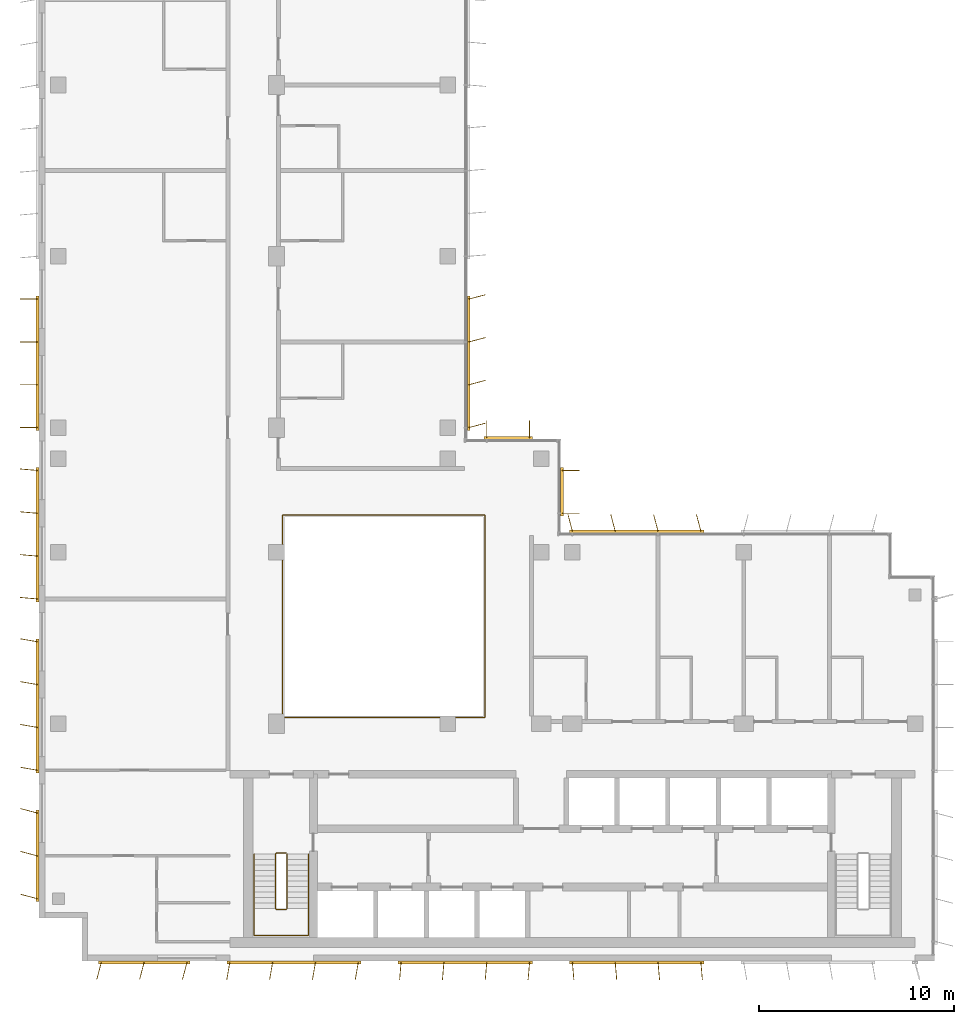
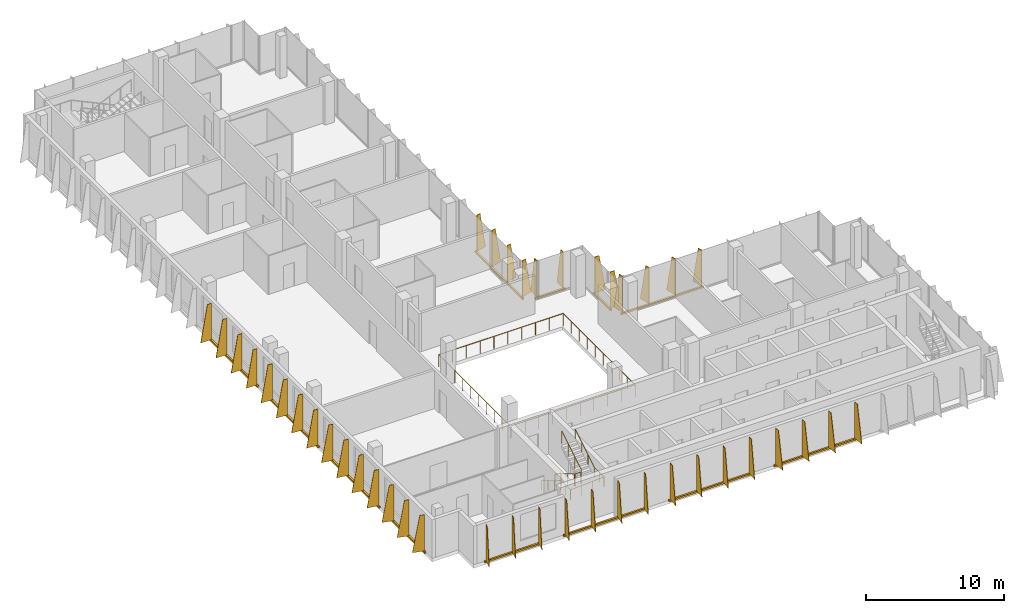
# One storey, part 13 of 15: 12 shading devices, 3 railings.
"""IFC4 building model written with IfcOpenShell, lengths in metres."""

from ifc_helpers import new_model, si_unit, direction, frame, origin, origin_2d, place, context, subcontext, project, spatial, polyline, rectangle, circle, outline, extrude, source, transform, mapped, material, layer, layer_set, type_object, element, save


model = new_model("IFC4")

# Units and contexts
model_context = context("Model", 3, precision=1e-05, world=origin(), true_north=direction((0.0, 1.0)))
body_context = subcontext(model_context, "Body", "Model", "MODEL_VIEW")
ifc_project = project(units=[si_unit("LENGTHUNIT", "METRE"), si_unit("AREAUNIT", "SQUARE_METRE"), si_unit("VOLUMEUNIT", "CUBIC_METRE"), si_unit("PLANEANGLEUNIT", "RADIAN"), si_unit("MASSUNIT", "GRAM", prefix="KILO")], contexts=[model_context])

# Site, building, storey
site_placement = place(None, origin())
site = spatial("IfcSite", under=ifc_project, at=site_placement, CompositionType="ELEMENT")
building_placement = place(site_placement, origin())
building = spatial("IfcBuilding", under=site, at=building_placement, Name="Kemantara Hotel Tower", CompositionType="ELEMENT")
storey_placement = place(building_placement, frame((0.0, 0.0, 298.10009765625)))
storey = spatial("IfcBuildingStorey", under=building, at=storey_placement, Name="L75", CompositionType="ELEMENT", Elevation=298.10009765625)

# Railings
ifc_material_1 = material(Name="Stainless steel and laminated glass balustrade", Category="steel")
railing_type_1 = type_object("IfcRailingType", Name="ATRIUM GUARD 1100", PredefinedType="GUARDRAIL", material=ifc_material_1)
railing_1_placement = place(storey_placement, frame((12.56005859375, 12.5, 0.0)))
element("IfcRailing", 1, at=railing_1_placement, inside=storey, type_object=railing_type_1, Name="ATRIUM GUARD L75", PredefinedType="GUARDRAIL", context=body_context, shape_type="SweptSolid", body=[
    extrude(circle(Radius=0.02490234375, at=origin_2d()), frame((0.0, 0.0, 1.0751953125), z_axis=(1.0, 0.0, 0.0), x_axis=(0.0, 1.0, 0.0)), (0.0, 0.0, 1.0), 10.33984375),
    extrude(circle(Radius=0.02490234375, at=origin_2d()), frame((10.33984375, 0.0, 1.0751953125), z_axis=(0.0, 1.0, 0.0), x_axis=(-1.0, 0.0, 0.0)), (0.0, 0.0, 1.0), 10.39990234375),
    extrude(circle(Radius=0.02490234375, at=origin_2d()), frame((10.33984375, 10.39990234375, 1.0751953125), z_axis=(-1.0, 0.0, 0.0), x_axis=(0.0, -1.0, 0.0)), (0.0, 0.0, 1.0), 10.39990234375),
    extrude(circle(Radius=0.02490234375, at=origin_2d()), frame((-0.06005859375, 10.39990234375, 1.0751953125), z_axis=(0.0, -1.0, 0.0), x_axis=(1.0, 0.0, 0.0)), (0.0, 0.0, 1.0), 10.39990234375),
    extrude(circle(Radius=0.02001953125, at=origin_2d()), origin(), (0.0, 0.0, 1.0), 1.050048828125),
    extrude(circle(Radius=0.02001953125, at=origin_2d()), frame((1.14892578125, 0.0, 0.0)), (0.0, 0.0, 1.0), 1.050048828125),
    extrude(circle(Radius=0.02001953125, at=origin_2d()), frame((2.2978515625, 0.0, 0.0)), (0.0, 0.0, 1.0), 1.050048828125),
    extrude(circle(Radius=0.02001953125, at=origin_2d()), frame((3.446533203125, 0.0, 0.0)), (0.0, 0.0, 1.0), 1.050048828125),
    extrude(circle(Radius=0.02001953125, at=origin_2d()), frame((4.595458984375, 0.0, 0.0)), (0.0, 0.0, 1.0), 1.050048828125),
    extrude(circle(Radius=0.02001953125, at=origin_2d()), frame((5.744384765625, 0.0, 0.0)), (0.0, 0.0, 1.0), 1.050048828125),
    extrude(circle(Radius=0.02001953125, at=origin_2d()), frame((6.893310546875, 0.0, 0.0)), (0.0, 0.0, 1.0), 1.050048828125),
    extrude(circle(Radius=0.02001953125, at=origin_2d()), frame((8.0419921875, 0.0, 0.0)), (0.0, 0.0, 1.0), 1.050048828125),
    extrude(circle(Radius=0.02001953125, at=origin_2d()), frame((9.19091796875, 0.0, 0.0)), (0.0, 0.0, 1.0), 1.050048828125),
    extrude(circle(Radius=0.02001953125, at=origin_2d()), frame((10.33984375, 0.0, 0.0)), (0.0, 0.0, 1.0), 1.050048828125),
    extrude(circle(Radius=0.02001953125, at=origin_2d()), frame((10.33984375, 1.155517578125, 0.0)), (0.0, 0.0, 1.0), 1.050048828125),
    extrude(circle(Radius=0.02001953125, at=origin_2d()), frame((10.33984375, 2.31103515625, 0.0)), (0.0, 0.0, 1.0), 1.050048828125),
    extrude(circle(Radius=0.02001953125, at=origin_2d()), frame((10.33984375, 3.466552734375, 0.0)), (0.0, 0.0, 1.0), 1.050048828125),
    extrude(circle(Radius=0.02001953125, at=origin_2d()), frame((10.33984375, 4.6220703125, 0.0)), (0.0, 0.0, 1.0), 1.050048828125),
    extrude(circle(Radius=0.02001953125, at=origin_2d()), frame((10.33984375, 5.77783203125, 0.0)), (0.0, 0.0, 1.0), 1.050048828125),
    extrude(circle(Radius=0.02001953125, at=origin_2d()), frame((10.33984375, 6.933349609375, 0.0)), (0.0, 0.0, 1.0), 1.050048828125),
    extrude(circle(Radius=0.02001953125, at=origin_2d()), frame((10.33984375, 8.0888671875, 0.0)), (0.0, 0.0, 1.0), 1.050048828125),
    extrude(circle(Radius=0.02001953125, at=origin_2d()), frame((10.33984375, 9.244384765625, 0.0)), (0.0, 0.0, 1.0), 1.050048828125),
    extrude(circle(Radius=0.02001953125, at=origin_2d()), frame((10.33984375, 10.39990234375, 0.0)), (0.0, 0.0, 1.0), 1.050048828125),
    extrude(circle(Radius=0.02001953125, at=origin_2d()), frame((9.184326171875, 10.39990234375, 0.0)), (0.0, 0.0, 1.0), 1.050048828125),
    extrude(circle(Radius=0.02001953125, at=origin_2d()), frame((8.02880859375, 10.39990234375, 0.0)), (0.0, 0.0, 1.0), 1.050048828125),
    extrude(circle(Radius=0.02001953125, at=origin_2d()), frame((6.873291015625, 10.39990234375, 0.0)), (0.0, 0.0, 1.0), 1.050048828125),
    extrude(circle(Radius=0.02001953125, at=origin_2d()), frame((5.7177734375, 10.39990234375, 0.0)), (0.0, 0.0, 1.0), 1.050048828125),
    extrude(circle(Radius=0.02001953125, at=origin_2d()), frame((4.56201171875, 10.39990234375, 0.0)), (0.0, 0.0, 1.0), 1.050048828125),
    extrude(circle(Radius=0.02001953125, at=origin_2d()), frame((3.406494140625, 10.39990234375, 0.0)), (0.0, 0.0, 1.0), 1.050048828125),
    extrude(circle(Radius=0.02001953125, at=origin_2d()), frame((2.2509765625, 10.39990234375, 0.0)), (0.0, 0.0, 1.0), 1.050048828125),
    extrude(circle(Radius=0.02001953125, at=origin_2d()), frame((1.095458984375, 10.39990234375, 0.0)), (0.0, 0.0, 1.0), 1.050048828125),
    extrude(circle(Radius=0.02001953125, at=origin_2d()), frame((-0.06005859375, 10.39990234375, 0.0)), (0.0, 0.0, 1.0), 1.050048828125),
    extrude(circle(Radius=0.02001953125, at=origin_2d()), frame((-0.06005859375, 9.244384765625, 0.0)), (0.0, 0.0, 1.0), 1.050048828125),
    extrude(circle(Radius=0.02001953125, at=origin_2d()), frame((-0.06005859375, 8.0888671875, 0.0)), (0.0, 0.0, 1.0), 1.050048828125),
    extrude(circle(Radius=0.02001953125, at=origin_2d()), frame((-0.06005859375, 6.933349609375, 0.0)), (0.0, 0.0, 1.0), 1.050048828125),
    extrude(circle(Radius=0.02001953125, at=origin_2d()), frame((-0.06005859375, 5.77783203125, 0.0)), (0.0, 0.0, 1.0), 1.050048828125),
    extrude(circle(Radius=0.02001953125, at=origin_2d()), frame((-0.06005859375, 4.6220703125, 0.0)), (0.0, 0.0, 1.0), 1.050048828125),
    extrude(circle(Radius=0.02001953125, at=origin_2d()), frame((-0.06005859375, 3.466552734375, 0.0)), (0.0, 0.0, 1.0), 1.050048828125),
    extrude(circle(Radius=0.02001953125, at=origin_2d()), frame((-0.06005859375, 2.31103515625, 0.0)), (0.0, 0.0, 1.0), 1.050048828125),
    extrude(circle(Radius=0.02001953125, at=origin_2d()), frame((-0.06005859375, 1.155517578125, 0.0)), (0.0, 0.0, 1.0), 1.050048828125),
    extrude(circle(Radius=0.02001953125, at=origin_2d()), frame((-0.06005859375, 0.0, 0.0)), (0.0, 0.0, 1.0), 1.050048828125),
])
ifc_material_2 = material(Name="Stainless steel balustrade", Category="steel")
railing_type_2 = type_object("IfcRailingType", Name="Stair guard 1100 mm", PredefinedType="GUARDRAIL", material=ifc_material_2)
railing_2_placement = place(storey_placement, frame((12.75, 5.5, 3.699951171875)))
element("IfcRailing", 2, at=railing_2_placement, inside=storey, type_object=railing_type_2, Name="L75 ST1 stair guard 1", PredefinedType="GUARDRAIL", context=body_context, shape_type="SweptSolid", body=[
    extrude(circle(Radius=0.02392578125, at=origin_2d()), frame((0.0, 0.0, 1.076171875), z_axis=(0.0, -0.857242210791, -0.514913383045), x_axis=(1.0, 0.0, 0.0)), (0.0, 0.0, 1.0), 3.266357421875),
    extrude(circle(Radius=0.02392578125, at=origin_2d()), frame((0.0, -2.800048828125, -0.60595703125), z_axis=(-0.274243871929, -0.274243871929, -0.92172696468), x_axis=(0.707106781187, -0.707106781187, 0.0)), (0.0, 0.0, 1.0), 0.1826171875),
    extrude(circle(Radius=0.02392578125, at=origin_2d()), frame((-0.050048828125, -2.85009765625, -0.77392578125), z_axis=(-1.0, 0.0, 0.0), x_axis=(0.0, -1.0, 0.0)), (0.0, 0.0, 1.0), 0.5),
    extrude(circle(Radius=0.02392578125, at=origin_2d()), frame((-0.550048828125, -2.85009765625, -0.77392578125), z_axis=(-0.707106781187, 0.707106781187, 0.0), x_axis=(-0.707106781187, -0.707106781187, 0.0)), (0.0, 0.0, 1.0), 0.07080078125),
    extrude(circle(Radius=0.02392578125, at=origin_2d()), frame((-0.60009765625, -2.800048828125, -0.77392578125), z_axis=(0.0, 0.857242210791, -0.514913383045), x_axis=(-1.0, 0.0, 0.0)), (0.0, 0.0, 1.0), 3.266357421875),
    extrude(circle(Radius=0.02392578125, at=origin_2d()), frame((-0.60009765625, 0.0, -2.4560546875), z_axis=(0.274582412415, 0.274582412415, -0.921525364591), x_axis=(-0.707106781187, 0.707106781187, 0.0)), (0.0, 0.0, 1.0), 0.182373046875),
    extrude(circle(Radius=0.02392578125, at=origin_2d()), frame((-0.550048828125, 0.050048828125, -2.6240234375), z_axis=(1.0, 0.0, 0.0), x_axis=(0.0, 1.0, 0.0)), (0.0, 0.0, 1.0), 0.5),
    extrude(circle(Radius=0.02099609375, at=origin_2d()), origin(), (0.0, 0.0, 1.0), 1.052001953125),
    extrude(circle(Radius=0.02099609375, at=origin_2d()), frame((0.0, -0.933349609375, -0.560546875)), (0.0, 0.0, 1.0), 1.052001953125),
    extrude(circle(Radius=0.02099609375, at=origin_2d()), frame((0.0, -1.86669921875, -1.121337890625)), (0.0, 0.0, 1.0), 1.052001953125),
    extrude(circle(Radius=0.02099609375, at=origin_2d()), frame((0.0, -2.800048828125, -1.681884765625)), (0.0, 0.0, 1.0), 1.052001953125),
    extrude(circle(Radius=0.02099609375, at=origin_2d()), frame((-0.050048828125, -2.85009765625, -1.85009765625)), (0.0, 0.0, 1.0), 1.052001953125),
    extrude(circle(Radius=0.02099609375, at=origin_2d()), frame((-0.550048828125, -2.85009765625, -1.85009765625)), (0.0, 0.0, 1.0), 1.052001953125),
    extrude(circle(Radius=0.02099609375, at=origin_2d()), frame((-0.60009765625, -2.800048828125, -1.85009765625)), (0.0, 0.0, 1.0), 1.052001953125),
    extrude(circle(Radius=0.02099609375, at=origin_2d()), frame((-0.60009765625, -1.86669921875, -2.41064453125)), (0.0, 0.0, 1.0), 1.052001953125),
    extrude(circle(Radius=0.02099609375, at=origin_2d()), frame((-0.60009765625, -0.933349609375, -2.971435546875)), (0.0, 0.0, 1.0), 1.052001953125),
    extrude(circle(Radius=0.02099609375, at=origin_2d()), frame((-0.60009765625, 0.0, -3.531982421875)), (0.0, 0.0, 1.0), 1.052001953125),
    extrude(circle(Radius=0.02099609375, at=origin_2d()), frame((-0.550048828125, 0.050048828125, -3.699951171875)), (0.0, 0.0, 1.0), 1.052001953125),
    extrude(circle(Radius=0.02099609375, at=origin_2d()), frame((-0.050048828125, 0.050048828125, -3.699951171875)), (0.0, 0.0, 1.0), 1.052001953125),
])
railing_type_3 = type_object("IfcRailingType", Name="Stair handrail 900 mm", PredefinedType="HANDRAIL", material=ifc_material_2)
railing_3_placement = place(storey_placement, frame((11.050048828125, 5.5, 0.16796875)))
element("IfcRailing", 3, at=railing_3_placement, inside=storey, type_object=railing_type_3, Name="L75 ST1 stair handrail 1", PredefinedType="HANDRAIL", context=body_context, shape_type="SweptSolid", body=[
    extrude(circle(Radius=0.02392578125, at=origin_2d()), frame((0.0, 0.0, 0.8759765625), z_axis=(0.0, -0.857242210791, 0.514913383045), x_axis=(1.0, 0.0, 0.0)), (0.0, 0.0, 1.0), 3.266357421875),
    extrude(circle(Radius=0.02392578125, at=origin_2d()), frame((0.0, -2.800048828125, 2.5576171875), z_axis=(0.0, -1.0, 0.0), x_axis=(1.0, 0.0, 0.0)), (0.0, 0.0, 1.0), 1.3798828125),
    extrude(circle(Radius=0.02392578125, at=origin_2d()), frame((0.0, -4.179931640625, 2.5576171875), z_axis=(0.998200367801, 0.0, 0.059966871865), x_axis=(0.0, 1.0, 0.0)), (0.0, 0.0, 1.0), 2.80517578125),
    extrude(circle(Radius=0.02392578125, at=origin_2d()), frame((2.800048828125, -4.179931640625, 2.72607421875), z_axis=(0.0, 1.0, 0.0), x_axis=(-1.0, 0.0, 0.0)), (0.0, 0.0, 1.0), 1.3798828125),
    extrude(circle(Radius=0.02392578125, at=origin_2d()), frame((2.800048828125, -2.800048828125, 2.72607421875), z_axis=(0.0, 0.857242210791, 0.514913383045), x_axis=(-1.0, 0.0, 0.0)), (0.0, 0.0, 1.0), 3.266357421875),
    extrude(circle(Radius=0.02099609375, at=origin_2d()), origin(), (0.0, 0.0, 1.0), 0.851806640625),
    extrude(circle(Radius=0.02099609375, at=origin_2d()), frame((0.0, -0.933349609375, 0.560546875)), (0.0, 0.0, 1.0), 0.851806640625),
    extrude(circle(Radius=0.02099609375, at=origin_2d()), frame((0.0, -1.86669921875, 1.121337890625)), (0.0, 0.0, 1.0), 0.851806640625),
    extrude(circle(Radius=0.02099609375, at=origin_2d()), frame((0.0, -2.800048828125, 1.681884765625)), (0.0, 0.0, 1.0), 0.851806640625),
    extrude(circle(Radius=0.02099609375, at=origin_2d()), frame((0.0, -3.489990234375, 1.681884765625)), (0.0, 0.0, 1.0), 0.851806640625),
    extrude(circle(Radius=0.02099609375, at=origin_2d()), frame((0.0, -4.179931640625, 1.681884765625)), (0.0, 0.0, 1.0), 0.851806640625),
    extrude(circle(Radius=0.02099609375, at=origin_2d()), frame((0.933349609375, -4.179931640625, 1.738037109375)), (0.0, 0.0, 1.0), 0.851806640625),
    extrude(circle(Radius=0.02099609375, at=origin_2d()), frame((1.86669921875, -4.179931640625, 1.7939453125)), (0.0, 0.0, 1.0), 0.851806640625),
    extrude(circle(Radius=0.02099609375, at=origin_2d()), frame((2.800048828125, -4.179931640625, 1.85009765625)), (0.0, 0.0, 1.0), 0.851806640625),
    extrude(circle(Radius=0.02099609375, at=origin_2d()), frame((2.800048828125, -3.489990234375, 1.85009765625)), (0.0, 0.0, 1.0), 0.851806640625),
    extrude(circle(Radius=0.02099609375, at=origin_2d()), frame((2.800048828125, -2.800048828125, 1.85009765625)), (0.0, 0.0, 1.0), 0.851806640625),
    extrude(circle(Radius=0.02099609375, at=origin_2d()), frame((2.800048828125, -1.86669921875, 2.41064453125)), (0.0, 0.0, 1.0), 0.851806640625),
    extrude(circle(Radius=0.02099609375, at=origin_2d()), frame((2.800048828125, -0.933349609375, 2.971435546875)), (0.0, 0.0, 1.0), 0.851806640625),
    extrude(circle(Radius=0.02099609375, at=origin_2d()), frame((2.800048828125, 0.0, 3.531982421875)), (0.0, 0.0, 1.0), 0.851806640625),
])

# Shading devices
ifc_material_3 = material(Name="Perforated aluminium plate 4 mm bronze anodised", Category="aluminium")
ifc_layer_1 = layer(ifc_material_3, 0.0400390625)
ifc_layer_set_1 = layer_set([ifc_layer_1], Name="Perforated aluminium plate 4 mm bronze anodised")
shading_device_type_1 = type_object("IfcShadingDeviceType", Name="SCREEN FIN CASSETTE, 3 BLADES AT -15.0 DEG, 3200 HIGH", PredefinedType="USERDEFINED", material=ifc_layer_set_1)
shared_shape_1 = source(origin(), body_context, "Body", "SweptSolid", [
    extrude(rectangle(XDim=4.699951171875, YDim=0.14990234375, at=origin_2d()), frame((2.199951171875, -0.074951171875, -0.14990234375), z_axis=(0.0, 0.0, 1.0), x_axis=(1.0, 0.0, 0.0)), (0.0, 0.0, 1.0), 0.14990234375),
    extrude(outline(polyline([(0.0, 0.0), (0.89990234375, 0.0), (0.35009765625, 3.199951171875), (0.0, 3.199951171875), (0.0, 0.0)])), frame((0.019287109375, -0.080078125, 0.0), z_axis=(-0.966437683387, 0.256901156343, 0.0), x_axis=(-0.256901156343, -0.966437683387, 0.0)), (0.0, 0.0, 1.0), 0.039794921875),
    extrude(outline(polyline([(0.0, 0.0), (0.89990234375, 0.0), (0.35009765625, 3.199951171875), (0.0, 3.199951171875), (0.0, 0.0)])), frame((2.21923828125, -0.080078125, 0.0), z_axis=(-0.966437683387, 0.256901156343, 0.0), x_axis=(-0.256901156343, -0.966437683387, 0.0)), (0.0, 0.0, 1.0), 0.039794921875),
    extrude(outline(polyline([(0.0, 0.0), (0.89990234375, 0.0), (0.35009765625, 3.199951171875), (0.0, 3.199951171875), (0.0, 0.0)])), frame((4.41943359375, -0.080078125, 0.0), z_axis=(-0.966837822169, 0.255391122837, 0.0), x_axis=(-0.255391122837, -0.966837822169, 0.0)), (0.0, 0.0, 1.0), 0.0400390625),
])
for number, where, z_axis, x_axis, name in (
    (4, (0.0, 7.60009765625, 0.099853515625), (0.0, 0.0, 1.0), (0.0, -1.0, 0.0), "SCREEN FIN CASSETTE L75 T4-R05-7"),
    (5, (3.199951171875, 0.0, 0.099853515625), (0.0, 0.0, 1.0), (1.0, 0.0, 0.0), "SCREEN FIN CASSETTE L75 T4-R08-1"),
):
    element("IfcShadingDevice", number, at=place(storey_placement, frame(where, z_axis=z_axis, x_axis=x_axis)), inside=storey, type_object=shading_device_type_1, Name=name, ObjectType="SCREEN FIN", PredefinedType="USERDEFINED", context=body_context, shape_type="MappedRepresentation", body=[
        mapped(shared_shape_1, transform((0.0, 0.0, 0.0))),
    ])
ifc_layer_2 = layer(ifc_material_3, 0.0400390625)
ifc_layer_set_2 = layer_set([ifc_layer_2], Name="Perforated aluminium plate 4 mm bronze anodised")
shading_device_type_2 = type_object("IfcShadingDeviceType", Name="SCREEN FIN CASSETTE, 4 BLADES AT -10.0 DEG, 3200 HIGH", PredefinedType="USERDEFINED", material=ifc_layer_set_2)
shared_shape_2 = source(origin(), body_context, "Body", "SweptSolid", [
    extrude(rectangle(XDim=6.89990234375, YDim=0.14990234375, at=origin_2d()), frame((3.300048828125, -0.074951171875, -0.14990234375), z_axis=(0.0, 0.0, 1.0), x_axis=(1.0, 0.0, 0.0)), (0.0, 0.0, 1.0), 0.14990234375),
    extrude(outline(polyline([(0.0, 0.0), (0.89990234375, 0.0), (0.35009765625, 3.199951171875), (0.0, 3.199951171875), (0.0, 0.0)])), frame((0.019775390625, -0.078369140625, 0.0), z_axis=(-0.985389793052, 0.170314285219, 0.0), x_axis=(-0.170314285219, -0.985389793052, 0.0)), (0.0, 0.0, 1.0), 0.0400390625),
    extrude(outline(polyline([(0.0, 0.0), (0.89990234375, 0.0), (0.35009765625, 3.199951171875), (0.0, 3.199951171875), (0.0, 0.0)])), frame((2.2197265625, -0.078369140625, 0.0), z_axis=(-0.98521175482, 0.171341174751, 0.0), x_axis=(-0.171341174751, -0.98521175482, 0.0)), (0.0, 0.0, 1.0), 0.039794921875),
    extrude(outline(polyline([(0.0, 0.0), (0.89990234375, 0.0), (0.35009765625, 3.199951171875), (0.0, 3.199951171875), (0.0, 0.0)])), frame((4.419677734375, -0.078369140625, 0.0), z_axis=(-0.98521175482, 0.171341174751, 0.0), x_axis=(-0.171341174751, -0.98521175482, 0.0)), (0.0, 0.0, 1.0), 0.039794921875),
    extrude(outline(polyline([(0.0, 0.0), (0.89990234375, 0.0), (0.35009765625, 3.199951171875), (0.0, 3.199951171875), (0.0, 0.0)])), frame((6.61962890625, -0.078369140625, 0.0), z_axis=(-0.98521175482, 0.171341174751, 0.0), x_axis=(-0.171341174751, -0.98521175482, 0.0)), (0.0, 0.0, 1.0), 0.039794921875),
])
for number, where, z_axis, x_axis, name in (
    (6, (0.0, 16.39990234375, 0.099853515625), (0.0, 0.0, 1.0), (0.0, -1.0, 0.0), "SCREEN FIN CASSETTE L75 T4-R05-6"),
    (7, (9.800048828125, 0.0, 0.099853515625), (0.0, 0.0, 1.0), (1.0, 0.0, 0.0), "SCREEN FIN CASSETTE L75 T4-R08-2"),
):
    element("IfcShadingDevice", number, at=place(storey_placement, frame(where, z_axis=z_axis, x_axis=x_axis)), inside=storey, type_object=shading_device_type_2, Name=name, ObjectType="SCREEN FIN", PredefinedType="USERDEFINED", context=body_context, shape_type="MappedRepresentation", body=[
        mapped(shared_shape_2, transform((0.0, 0.0, 0.0))),
    ])
ifc_layer_3 = layer(ifc_material_3, 0.0400390625)
ifc_layer_set_3 = layer_set([ifc_layer_3], Name="Perforated aluminium plate 4 mm bronze anodised")
shading_device_type_3 = type_object("IfcShadingDeviceType", Name="SCREEN FIN CASSETTE, 4 BLADES AT -5.0 DEG, 3200 HIGH", PredefinedType="USERDEFINED", material=ifc_layer_set_3)
shared_shape_3 = source(origin(), body_context, "Body", "SweptSolid", [
    extrude(rectangle(XDim=6.89990234375, YDim=0.14990234375, at=origin_2d()), frame((3.300048828125, -0.074951171875, -0.14990234375), z_axis=(0.0, 0.0, 1.0), x_axis=(1.0, 0.0, 0.0)), (0.0, 0.0, 1.0), 0.14990234375),
    extrude(outline(polyline([(0.0, 0.0), (0.89990234375, 0.0), (0.35009765625, 3.199951171875), (0.0, 3.199951171875), (0.0, 0.0)])), frame((0.02001953125, -0.07666015625, 0.0), z_axis=(-0.996376129781, 0.085056498884, 0.0), x_axis=(-0.085056498884, -0.996376129781, 0.0)), (0.0, 0.0, 1.0), 0.040283203125),
    extrude(outline(polyline([(0.0, 0.0), (0.89990234375, 0.0), (0.35009765625, 3.199951171875), (0.0, 3.199951171875), (0.0, 0.0)])), frame((2.219970703125, -0.07666015625, 0.0), z_axis=(-0.996331773833, 0.085574508182, 0.0), x_axis=(-0.085574508182, -0.996331773833, 0.0)), (0.0, 0.0, 1.0), 0.0400390625),
    extrude(outline(polyline([(0.0, 0.0), (0.89990234375, 0.0), (0.35009765625, 3.199951171875), (0.0, 3.199951171875), (0.0, 0.0)])), frame((4.419921875, -0.07666015625, 0.0), z_axis=(-0.996331773833, 0.085574508182, 0.0), x_axis=(-0.085574508182, -0.996331773833, 0.0)), (0.0, 0.0, 1.0), 0.0400390625),
    extrude(outline(polyline([(0.0, 0.0), (0.89990234375, 0.0), (0.35009765625, 3.199951171875), (0.0, 3.199951171875), (0.0, 0.0)])), frame((6.619873046875, -0.07666015625, 0.0), z_axis=(-0.996331773833, 0.085574508182, 0.0), x_axis=(-0.085574508182, -0.996331773833, 0.0)), (0.0, 0.0, 1.0), 0.0400390625),
])
for number, where, z_axis, x_axis, name in (
    (8, (0.0, 25.199951171875, 0.099853515625), (0.0, 0.0, 1.0), (0.0, -1.0, 0.0), "SCREEN FIN CASSETTE L75 T4-R05-5"),
    (9, (18.60009765625, 0.0, 0.099853515625), (0.0, 0.0, 1.0), (1.0, 0.0, 0.0), "SCREEN FIN CASSETTE L75 T4-R08-3"),
):
    element("IfcShadingDevice", number, at=place(storey_placement, frame(where, z_axis=z_axis, x_axis=x_axis)), inside=storey, type_object=shading_device_type_3, Name=name, ObjectType="SCREEN FIN", PredefinedType="USERDEFINED", context=body_context, shape_type="MappedRepresentation", body=[
        mapped(shared_shape_3, transform((0.0, 0.0, 0.0))),
    ])
ifc_layer_4 = layer(ifc_material_3, 0.0400390625)
ifc_layer_set_4 = layer_set([ifc_layer_4], Name="Perforated aluminium plate 4 mm bronze anodised")
shading_device_type_4 = type_object("IfcShadingDeviceType", Name="SCREEN FIN CASSETTE, 4 BLADES AT +0.0 DEG, 3200 HIGH", PredefinedType="USERDEFINED", material=ifc_layer_set_4)
shared_shape_4 = source(origin(), body_context, "Body", "SweptSolid", [
    extrude(rectangle(XDim=6.89990234375, YDim=0.14990234375, at=origin_2d()), frame((3.300048828125, -0.074951171875, -0.14990234375), z_axis=(0.0, 0.0, 1.0), x_axis=(1.0, 0.0, 0.0)), (0.0, 0.0, 1.0), 0.14990234375),
    extrude(outline(polyline([(0.0, 0.0), (0.89990234375, 0.0), (0.35009765625, 3.199951171875), (0.0, 3.199951171875), (0.0, 0.0)])), frame((0.02001953125, -0.074951171875, 0.0), z_axis=(-1.0, 0.0, 0.0), x_axis=(0.0, -1.0, 0.0)), (0.0, 0.0, 1.0), 0.0400390625),
    extrude(outline(polyline([(0.0, 0.0), (0.89990234375, 0.0), (0.35009765625, 3.199951171875), (0.0, 3.199951171875), (0.0, 0.0)])), frame((2.219970703125, -0.074951171875, 0.0), z_axis=(-1.0, 0.0, 0.0), x_axis=(0.0, -1.0, 0.0)), (0.0, 0.0, 1.0), 0.0400390625),
    extrude(outline(polyline([(0.0, 0.0), (0.89990234375, 0.0), (0.35009765625, 3.199951171875), (0.0, 3.199951171875), (0.0, 0.0)])), frame((4.419921875, -0.074951171875, 0.0), z_axis=(-1.0, 0.0, 0.0), x_axis=(0.0, -1.0, 0.0)), (0.0, 0.0, 1.0), 0.0400390625),
    extrude(outline(polyline([(0.0, 0.0), (0.89990234375, 0.0), (0.35009765625, 3.199951171875), (0.0, 3.199951171875), (0.0, 0.0)])), frame((6.6201171875, -0.074951171875, 0.0), z_axis=(-1.0, 0.0, 0.0), x_axis=(0.0, -1.0, 0.0)), (0.0, 0.0, 1.0), 0.0400390625),
])
shading_device_1_placement = place(storey_placement, frame((0.0, 34.0, 0.099853515625), z_axis=(0.0, 0.0, 1.0), x_axis=(0.0, -1.0, 0.0)))
element("IfcShadingDevice", 10, at=shading_device_1_placement, inside=storey, type_object=shading_device_type_4, Name="SCREEN FIN CASSETTE L75 T4-R05-4", ObjectType="SCREEN FIN", PredefinedType="USERDEFINED", context=body_context, shape_type="MappedRepresentation", body=[
    mapped(shared_shape_4, transform((0.0, 0.0, 0.0))),
])
ifc_layer_5 = layer(ifc_material_3, 0.0400390625)
ifc_layer_set_5 = layer_set([ifc_layer_5], Name="Perforated aluminium plate 4 mm bronze anodised")
shading_device_type_5 = type_object("IfcShadingDeviceType", Name="SCREEN FIN CASSETTE, 4 BLADES AT +5.0 DEG, 3200 HIGH", PredefinedType="USERDEFINED", material=ifc_layer_set_5)
shared_shape_5 = source(origin(), body_context, "Body", "SweptSolid", [
    extrude(rectangle(XDim=6.89990234375, YDim=0.14990234375, at=origin_2d()), frame((3.300048828125, -0.074951171875, -0.14990234375), z_axis=(0.0, 0.0, 1.0), x_axis=(1.0, 0.0, 0.0)), (0.0, 0.0, 1.0), 0.14990234375),
    extrude(outline(polyline([(0.0, 0.0), (0.89990234375, 0.0), (0.35009765625, 3.199951171875), (0.0, 3.199951171875), (0.0, 0.0)])), frame((0.02001953125, -0.0732421875, 0.0), z_axis=(-0.996376129781, -0.085056498884, 0.0), x_axis=(0.085056498884, -0.996376129781, 0.0)), (0.0, 0.0, 1.0), 0.040283203125),
    extrude(outline(polyline([(0.0, 0.0), (0.89990234375, 0.0), (0.35009765625, 3.199951171875), (0.0, 3.199951171875), (0.0, 0.0)])), frame((2.219970703125, -0.0732421875, 0.0), z_axis=(-0.996331773833, -0.085574508182, 0.0), x_axis=(0.085574508182, -0.996331773833, 0.0)), (0.0, 0.0, 1.0), 0.0400390625),
    extrude(outline(polyline([(0.0, 0.0), (0.89990234375, 0.0), (0.35009765625, 3.199951171875), (0.0, 3.199951171875), (0.0, 0.0)])), frame((4.419921875, -0.0732421875, 0.0), z_axis=(-0.996331773833, -0.085574508182, 0.0), x_axis=(0.085574508182, -0.996331773833, 0.0)), (0.0, 0.0, 1.0), 0.0400390625),
    extrude(outline(polyline([(0.0, 0.0), (0.89990234375, 0.0), (0.35009765625, 3.199951171875), (0.0, 3.199951171875), (0.0, 0.0)])), frame((6.619873046875, -0.0732421875, 0.0), z_axis=(-0.996331773833, -0.085574508182, 0.0), x_axis=(0.085574508182, -0.996331773833, 0.0)), (0.0, 0.0, 1.0), 0.0400390625),
])
shading_device_2_placement = place(storey_placement, frame((27.39990234375, 0.0, 0.099853515625), z_axis=(0.0, 0.0, 1.0), x_axis=(1.0, 0.0, 0.0)))
element("IfcShadingDevice", 11, at=shading_device_2_placement, inside=storey, type_object=shading_device_type_5, Name="SCREEN FIN CASSETTE L75 T4-R08-4", ObjectType="SCREEN FIN", PredefinedType="USERDEFINED", context=body_context, shape_type="MappedRepresentation", body=[
    mapped(shared_shape_5, transform((0.0, 0.0, 0.0))),
])
ifc_layer_6 = layer(ifc_material_3, 0.0400390625)
ifc_layer_set_6 = layer_set([ifc_layer_6], Name="Perforated aluminium plate 4 mm bronze anodised")
shading_device_type_6 = type_object("IfcShadingDeviceType", Name="SCREEN FIN CASSETTE, 4 BLADES AT +15.0 DEG, 3200 HIGH", PredefinedType="USERDEFINED", material=ifc_layer_set_6)
shared_shape_6 = source(origin(), body_context, "Body", "SweptSolid", [
    extrude(rectangle(XDim=6.89990234375, YDim=0.14990234375, at=origin_2d()), frame((3.300048828125, -0.074951171875, -0.14990234375), z_axis=(0.0, 0.0, 1.0), x_axis=(1.0, 0.0, 0.0)), (0.0, 0.0, 1.0), 0.14990234375),
    extrude(outline(polyline([(0.0, 0.0), (0.89990234375, 0.0), (0.35009765625, 3.199951171875), (0.0, 3.199951171875), (0.0, 0.0)])), frame((0.019287109375, -0.06982421875, 0.0), z_axis=(-0.966437683387, -0.256901156343, 0.0), x_axis=(0.256901156343, -0.966437683387, 0.0)), (0.0, 0.0, 1.0), 0.039794921875),
    extrude(outline(polyline([(0.0, 0.0), (0.89990234375, 0.0), (0.35009765625, 3.199951171875), (0.0, 3.199951171875), (0.0, 0.0)])), frame((2.21923828125, -0.06982421875, 0.0), z_axis=(-0.966437683387, -0.256901156343, 0.0), x_axis=(0.256901156343, -0.966437683387, 0.0)), (0.0, 0.0, 1.0), 0.039794921875),
    extrude(outline(polyline([(0.0, 0.0), (0.89990234375, 0.0), (0.35009765625, 3.199951171875), (0.0, 3.199951171875), (0.0, 0.0)])), frame((4.41943359375, -0.06982421875, 0.0), z_axis=(-0.966837822169, -0.255391122837, 0.0), x_axis=(0.255391122837, -0.966837822169, 0.0)), (0.0, 0.0, 1.0), 0.0400390625),
    extrude(outline(polyline([(0.0, 0.0), (0.89990234375, 0.0), (0.35009765625, 3.199951171875), (0.0, 3.199951171875), (0.0, 0.0)])), frame((6.619384765625, -0.06982421875, 0.0), z_axis=(-0.966837822169, -0.255391122837, 0.0), x_axis=(0.255391122837, -0.966837822169, 0.0)), (0.0, 0.0, 1.0), 0.0400390625),
])
for number, where, z_axis, x_axis, name in (
    (12, (34.0, 22.0, 0.099853515625), (0.0, 0.0, 1.0), (-1.0, 0.0, 0.0), "SCREEN FIN CASSETTE L75 T4-R12-2"),
    (13, (22.0, 27.39990234375, 0.099853515625), (0.0, 0.0, 1.0), (0.0, 1.0, 0.0), "SCREEN FIN CASSETTE L75 T4-R15-1"),
):
    element("IfcShadingDevice", number, at=place(storey_placement, frame(where, z_axis=z_axis, x_axis=x_axis)), inside=storey, type_object=shading_device_type_6, Name=name, ObjectType="SCREEN FIN", PredefinedType="USERDEFINED", context=body_context, shape_type="MappedRepresentation", body=[
        mapped(shared_shape_6, transform((0.0, 0.0, 0.0))),
    ])
ifc_layer_7 = layer(ifc_material_3, 0.0400390625)
ifc_layer_set_7 = layer_set([ifc_layer_7], Name="Perforated aluminium plate 4 mm bronze anodised")
shading_device_type_7 = type_object("IfcShadingDeviceType", Name="SCREEN FIN CASSETTE, 2 BLADES AT +0.0 DEG, 3200 HIGH", PredefinedType="USERDEFINED", material=ifc_layer_set_7)
shared_shape_7 = source(origin(), body_context, "Body", "SweptSolid", [
    extrude(rectangle(XDim=2.5, YDim=0.14990234375, at=origin_2d()), frame((1.10009765625, -0.074951171875, -0.14990234375), z_axis=(0.0, 0.0, 1.0), x_axis=(1.0, 0.0, 0.0)), (0.0, 0.0, 1.0), 0.14990234375),
    extrude(outline(polyline([(0.0, 0.0), (0.89990234375, 0.0), (0.35009765625, 3.199951171875), (0.0, 3.199951171875), (0.0, 0.0)])), frame((0.02001953125, -0.074951171875, 0.0), z_axis=(-1.0, 0.0, 0.0), x_axis=(0.0, -1.0, 0.0)), (0.0, 0.0, 1.0), 0.0400390625),
    extrude(outline(polyline([(0.0, 0.0), (0.89990234375, 0.0), (0.35009765625, 3.199951171875), (0.0, 3.199951171875), (0.0, 0.0)])), frame((2.219970703125, -0.074951171875, 0.0), z_axis=(-1.0, 0.0, 0.0), x_axis=(0.0, -1.0, 0.0)), (0.0, 0.0, 1.0), 0.0400390625),
])
for number, where, z_axis, x_axis, name in (
    (14, (26.800048828125, 23.0, 0.099853515625), (0.0, 0.0, 1.0), (0.0, 1.0, 0.0), "SCREEN FIN CASSETTE L75 T4-R13-1"),
    (15, (25.199951171875, 26.800048828125, 0.099853515625), (0.0, 0.0, 1.0), (-1.0, 0.0, 0.0), "SCREEN FIN CASSETTE L75 T4-R14-1"),
):
    element("IfcShadingDevice", number, at=place(storey_placement, frame(where, z_axis=z_axis, x_axis=x_axis)), inside=storey, type_object=shading_device_type_7, Name=name, ObjectType="SCREEN FIN", PredefinedType="USERDEFINED", context=body_context, shape_type="MappedRepresentation", body=[
        mapped(shared_shape_7, transform((0.0, 0.0, 0.0))),
    ])

save(model, "model.ifc")
